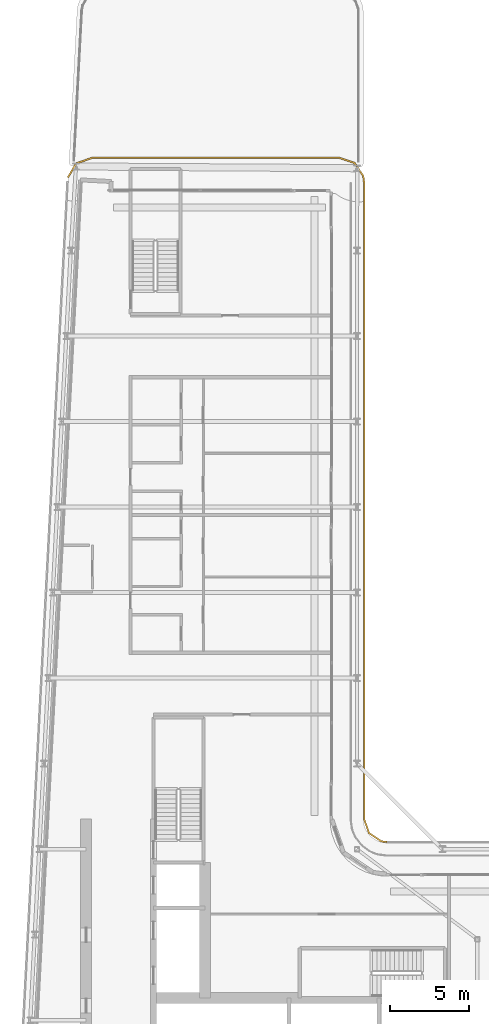
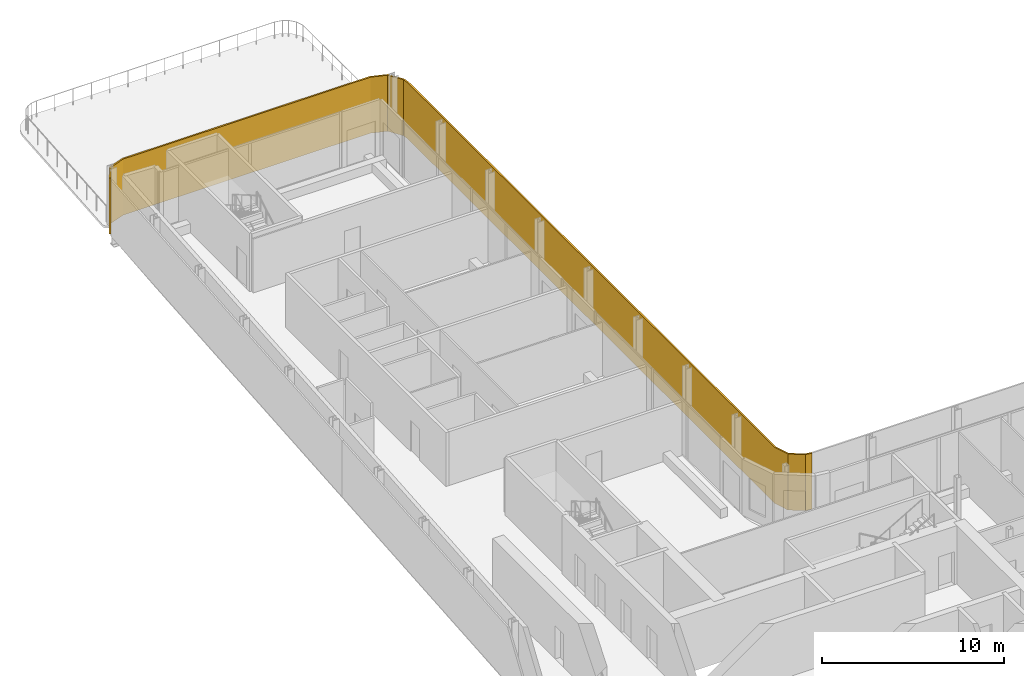
# One storey, part 19 of 22: 1 shading device.
"""IFC4 building model written with IfcOpenShell, lengths in metres."""

from ifc_helpers import new_model, si_unit, direction, frame, origin, place, context, subcontext, project, spatial, polyline, outline, extrude, material, layer, layer_set, type_object, element, save


model = new_model("IFC4")

# Units and contexts
model_context = context("Model", 3, precision=1e-05, world=origin(), true_north=direction((0.0, 1.0)))
body_context = subcontext(model_context, "Body", "Model", "MODEL_VIEW")
ifc_project = project(units=[si_unit("LENGTHUNIT", "METRE"), si_unit("AREAUNIT", "SQUARE_METRE"), si_unit("VOLUMEUNIT", "CUBIC_METRE"), si_unit("PLANEANGLEUNIT", "RADIAN"), si_unit("MASSUNIT", "GRAM", prefix="KILO")], contexts=[model_context])

# Site, building, storey
site_placement = place(None, origin())
site = spatial("IfcSite", under=ifc_project, at=site_placement, CompositionType="ELEMENT")
building_placement = place(site_placement, origin())
building = spatial("IfcBuilding", under=site, at=building_placement, Name="Kheshtan School and Residences Tower", CompositionType="ELEMENT")
storey_placement = place(building_placement, frame((0.0, 0.0, 216.199951171875)))
storey = spatial("IfcBuildingStorey", under=building, at=storey_placement, Name="L50", CompositionType="ELEMENT", Elevation=216.199951171875)

# Shading device
ifc_material = material(Name="Terracotta lattice, extruded ceramic", Category="masonry")
ifc_layer = layer(ifc_material, 0.10009765625)
ifc_layer_set = layer_set([ifc_layer], Name="Loggia screen, terracotta lattice")
shading_device_type = type_object("IfcShadingDeviceType", Name="Loggia screen, terracotta lattice", PredefinedType="USERDEFINED", material=ifc_layer_set)
shading_device_placement = place(storey_placement, origin())
element("IfcShadingDevice", 1, at=shading_device_placement, inside=storey, type_object=shading_device_type, Name="Screen L50 1", ObjectType="SCREEN", PredefinedType="USERDEFINED", context=body_context, shape_type="SweptSolid", body=[
    extrude(outline(polyline([(29.382080078125, 87.98388671875), (29.89990234375, 88.85693359375), (30.85498046875, 89.199951171875), (46.5, 89.199951171875), (47.4130859375, 88.889892578125), (47.948974609375, 88.087890625), (48.0, 87.699951171875), (48.0, 47.5), (48.31005859375, 46.5869140625), (49.112060546875, 46.051025390625), (49.5, 46.0), (49.512939453125, 46.09912109375), (49.14794921875, 46.14697265625), (48.39404296875, 46.65087890625), (48.10009765625, 47.51708984375), (48.10009765625, 87.70703125), (48.044921875, 88.1240234375), (47.47705078125, 88.97412109375), (46.51708984375, 89.300048828125), (30.837890625, 89.300048828125), (29.83203125, 88.93896484375), (29.2958984375, 88.034912109375), (29.382080078125, 87.98388671875)])), origin(), (0.0, 0.0, 1.0), 3.75),
])

save(model, "model.ifc")
